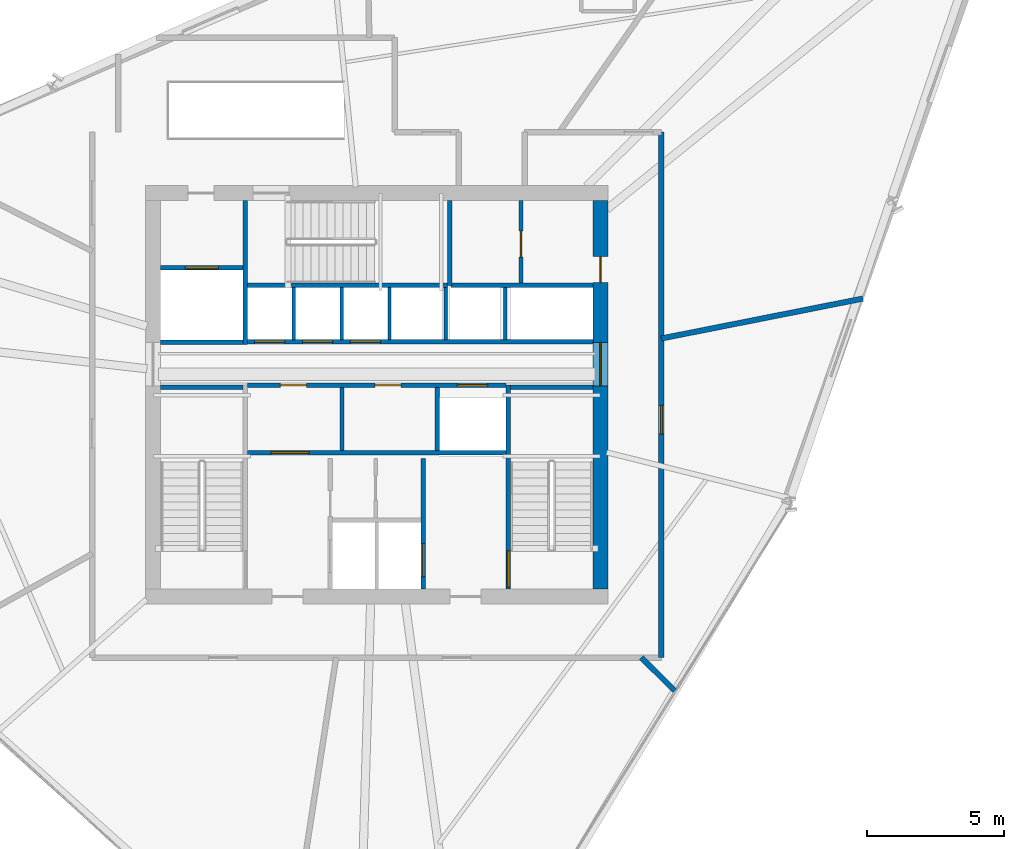
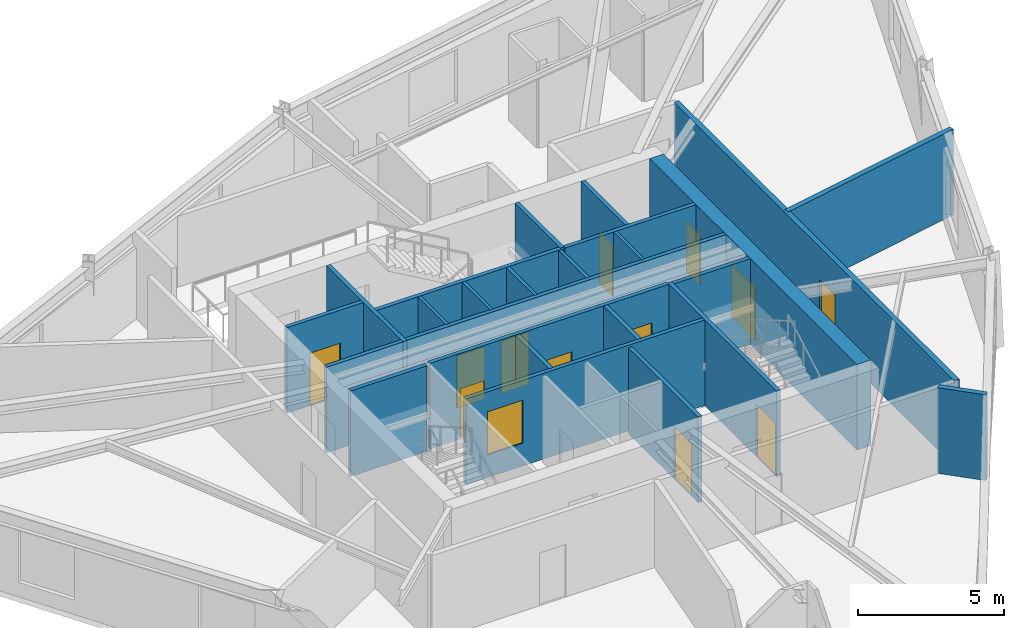
# One storey, part 10 of 13: 25 walls, 13 doors, 1 window, 14 openings.
"""IFC4 building model written with IfcOpenShell, lengths in metres."""

from ifc_helpers import new_model, si_unit, direction, frame, frame_2d, origin, place, context, subcontext, project, spatial, rectangle, extrude, source, transform, mapped, material, layer, layer_set, type_object, type_shapes, element, fill, save


model = new_model("IFC4")

# Units and contexts
model_context = context("Model", 3, precision=1e-05, world=origin(), true_north=direction((0.0, 1.0)))
body_context = subcontext(model_context, "Body", "Model", "MODEL_VIEW")
ifc_project = project(units=[si_unit("LENGTHUNIT", "METRE"), si_unit("AREAUNIT", "SQUARE_METRE"), si_unit("VOLUMEUNIT", "CUBIC_METRE"), si_unit("PLANEANGLEUNIT", "RADIAN"), si_unit("MASSUNIT", "GRAM", prefix="KILO")], contexts=[model_context])

# Site, building, storey
site_placement = place(None, origin())
site = spatial("IfcSite", under=ifc_project, at=site_placement, CompositionType="ELEMENT")
building_placement = place(site_placement, origin())
building = spatial("IfcBuilding", under=site, at=building_placement, Name="Olszyna Solenne Hotel", CompositionType="ELEMENT")
storey_placement = place(building_placement, frame((0.0, 0.0, 200.300048828125)))
storey = spatial("IfcBuildingStorey", under=building, at=storey_placement, Name="L53", CompositionType="ELEMENT", Elevation=200.300048828125)

# Wall, openings, doors
ifc_material_1 = material(Name="Concrete C50/60", Category="concrete")
ifc_layer_1 = layer(ifc_material_1, 0.550048828125, Name="Concrete C50/60")
ifc_layer_set_1 = layer_set([ifc_layer_1], Name="Concrete C50/60")
wall_type_1 = type_object("IfcWallType", Name="WL-CR550", PredefinedType="SHEAR", material=ifc_layer_set_1)
wall_1_placement = place(storey_placement, frame((46.175048828125, 33.699951171875, 0.0), z_axis=(0.0, 0.0, 1.0), x_axis=(0.0, -1.0, 0.0)))
wall_1 = element("IfcWall", 1, at=wall_1_placement, inside=storey, type_object=wall_type_1, Name="Core shear wall WL-CR550 CRW-L53-E", PredefinedType="SHEAR", context=body_context, shape_type="SweptSolid", body=[
    extrude(rectangle(XDim=14.199951171875, YDim=0.550048828125, at=frame_2d((7.10009765625, 0.0))), origin(), (0.0, 0.0, 1.0), 3.579833984375),
])
opening_1_placement = place(wall_1_placement, frame((5.179931640625, 0.0, 0.0)))
opening_1 = element("IfcOpeningElement", 2, at=opening_1_placement, cuts=wall_1, Name="Opening LHD-L53-E", PredefinedType="OPENING", context=body_context, shape_type="SweptSolid", body=[
    extrude(rectangle(XDim=1.60009765625, YDim=2.199951171875, at=frame_2d((0.800048828125, 1.10009765625))), frame((0.0, 0.28515625, 0.0), z_axis=(0.0, -1.0, 0.0), x_axis=(1.0, 0.0, 0.0)), (0.0, 0.0, 1.0), 0.570068359375),
])
opening_2_placement = place(wall_1_placement, frame((2.050048828125, 0.0, 0.0)))
opening_2 = element("IfcOpeningElement", 3, at=opening_2_placement, cuts=wall_1, Name="Opening SVD-L53-BE", PredefinedType="OPENING", context=body_context, shape_type="SweptSolid", body=[
    extrude(rectangle(XDim=0.949951171875, YDim=2.10009765625, at=frame_2d((0.47509765625, 1.050048828125))), frame((0.0, 0.28515625, 0.0), z_axis=(0.0, -1.0, 0.0), x_axis=(1.0, 0.0, 0.0)), (0.0, 0.0, 1.0), 0.570068359375),
])
ifc_material_2 = material(Name="Steel S355J2", Category="steel")
door_type_1 = type_object("IfcDoorType", Name="DR-SV1", OperationType="NOTDEFINED", PredefinedType="DOOR", material=ifc_material_2)
shared_shape_1 = source(origin(), body_context, "Body", "SweptSolid", [
    extrude(rectangle(XDim=0.949951171875, YDim=2.10009765625, at=frame_2d((0.47509765625, 1.050048828125))), frame((0.0, 0.02490234375, 0.0), z_axis=(0.0, -1.0, 0.0), x_axis=(1.0, 0.0, 0.0)), (0.0, 0.0, 1.0), 0.050048828125),
])
type_shapes(door_type_1, [shared_shape_1])
door_1_placement = place(opening_2_placement, origin())
door_1 = element("IfcDoor", 4, at=door_1_placement, inside=storey, type_object=door_type_1, Name="Housekeeping core fire door SVD-L53-BE", OperationType="SINGLE_SWING_RIGHT", OverallHeight=2.10009765625, OverallWidth=0.949951171875, PredefinedType="DOOR", context=body_context, shape_type="MappedRepresentation", body=[
    mapped(shared_shape_1, transform((0.0, 0.0, 0.0), x_axis=(1.0, 0.0, 0.0), y_axis=(0.0, 1.0, 0.0), z_axis=(0.0, 0.0, 1.0), scale=1.0)),
])
fill(opening_2, door_1)
ifc_material_3 = material(Name="Timber hardwood", Category="wood")
door_type_2 = type_object("IfcDoorType", Name="DR-CR1", OperationType="DOUBLE_DOOR_SINGLE_SWING", PredefinedType="DOOR", material=ifc_material_3)
shared_shape_2 = source(origin(), body_context, "Body", "SweptSolid", [
    extrude(rectangle(XDim=1.60009765625, YDim=2.199951171875, at=frame_2d((0.800048828125, 1.10009765625))), frame((0.0, 0.02490234375, 0.0), z_axis=(0.0, -1.0, 0.0), x_axis=(1.0, 0.0, 0.0)), (0.0, 0.0, 1.0), 0.050048828125),
])
type_shapes(door_type_2, [shared_shape_2])
door_2_placement = place(opening_1_placement, origin())
door_2 = element("IfcDoor", 5, at=door_2_placement, inside=storey, type_object=door_type_2, Name="Passenger lift lobby East fire door LHD-L53-E", OperationType="DOUBLE_DOOR_SINGLE_SWING", OverallHeight=2.199951171875, OverallWidth=1.60009765625, PredefinedType="DOOR", context=body_context, shape_type="MappedRepresentation", body=[
    mapped(shared_shape_2, transform((0.0, 0.0, 0.0), x_axis=(1.0, 0.0, 0.0), y_axis=(0.0, 1.0, 0.0), z_axis=(0.0, 0.0, 1.0), scale=1.0)),
])
fill(opening_1, door_2)

# Walls
ifc_material_4 = material(Name="Acoustic gypsum partition", Category="gypsum")
ifc_layer_2 = layer(ifc_material_4, 0.125, Name="Acoustic gypsum partition")
ifc_layer_set_2 = layer_set([ifc_layer_2], Name="Acoustic gypsum partition")
wall_type_2 = type_object("IfcWallType", Name="WL-PT125", PredefinedType="PARTITIONING", material=ifc_layer_set_2)
for number, where, z_axis, x_axis, name in (
    (6, (34.965087890625, 28.60009765625, 0.0), (0.0, 0.0, 1.0), (0.0, 1.0, 0.0), "Core shaft compartment wall CW-L53-DIVN349"),
    (7, (36.715087890625, 28.60009765625, 0.0), (0.0, 0.0, 1.0), (0.0, 1.0, 0.0), "Core shaft compartment wall CW-L53-DIVN367"),
    (8, (38.465087890625, 28.60009765625, 0.0), (0.0, 0.0, 1.0), (0.0, 1.0, 0.0), "Core shaft compartment wall CW-L53-DIVN384"),
    (9, (40.52490234375, 28.60009765625, 0.0), (0.0, 0.0, 1.0), (0.0, 1.0, 0.0), "Core shaft compartment wall CW-L53-DIVEX405"),
    (10, (42.699951171875, 28.60009765625, 0.0), (0.0, 0.0, 1.0), (0.0, 1.0, 0.0), "Core shaft compartment wall CW-L53-DIVEX427"),
):
    element("IfcWall", number, at=place(storey_placement, frame(where, z_axis=z_axis, x_axis=x_axis)), inside=storey, type_object=wall_type_2, Name=name, PredefinedType="PARTITIONING", context=body_context, shape_type="SweptSolid", body=[
        extrude(rectangle(XDim=1.919921875, YDim=0.125, at=frame_2d((0.9599609375, 0.0))), origin(), (0.0, 0.0, 1.0), 3.579833984375),
    ])
ifc_layer_3 = layer(ifc_material_4, 0.159912109375, Name="Acoustic gypsum partition")
ifc_layer_set_3 = layer_set([ifc_layer_3], Name="Acoustic gypsum partition")
wall_type_3 = type_object("IfcWallType", Name="WL-PT160", PredefinedType="PARTITIONING", material=ifc_layer_set_3)
wall_2_placement = place(storey_placement, frame((30.10009765625, 26.8798828125, 0.0), z_axis=(0.0, 0.0, 1.0), x_axis=(1.0, 0.0, 0.0)))
element("IfcWall", 11, at=wall_2_placement, inside=storey, type_object=wall_type_3, Name="Core shaft compartment wall CW-L53-ST1N", PredefinedType="PARTITIONING", context=body_context, shape_type="SweptSolid", body=[
    extrude(rectangle(XDim=3.02001953125, YDim=0.159912109375, at=frame_2d((1.510009765625, 0.0))), origin(), (0.0, 0.0, 1.0), 3.579833984375),
])

# Wall, opening, door
wall_3_placement = place(storey_placement, frame((42.800048828125, 26.9599609375, 0.0), z_axis=(0.0, 0.0, 1.0), x_axis=(0.0, -1.0, 0.0)))
wall_3 = element("IfcWall", 12, at=wall_3_placement, inside=storey, type_object=wall_type_3, Name="Core shaft compartment wall CW-L53-ST2W", PredefinedType="PARTITIONING", context=body_context, shape_type="SweptSolid", body=[
    extrude(rectangle(XDim=7.4599609375, YDim=0.159912109375, at=frame_2d((3.72998046875, 0.0))), origin(), (0.0, 0.0, 1.0), 3.579833984375),
])
opening_3_placement = place(wall_3_placement, frame((6.06005859375, 0.0, 0.0)))
opening_3 = element("IfcOpeningElement", 13, at=opening_3_placement, cuts=wall_3, Name="Opening STD-L53-02", PredefinedType="OPENING", context=body_context, shape_type="SweptSolid", body=[
    extrude(rectangle(XDim=1.320068359375, YDim=2.199951171875, at=frame_2d((0.66015625, 1.10009765625))), frame((0.0, 0.08984375, 0.0), z_axis=(0.0, -1.0, 0.0), x_axis=(1.0, 0.0, 0.0)), (0.0, 0.0, 1.0), 0.179931640625),
])
door_type_3 = type_object("IfcDoorType", Name="DR-ST1", OperationType="NOTDEFINED", PredefinedType="DOOR", material=ifc_material_2)
shared_shape_3 = source(origin(), body_context, "Body", "SweptSolid", [
    extrude(rectangle(XDim=1.320068359375, YDim=2.199951171875, at=frame_2d((0.66015625, 1.10009765625))), frame((0.0, 0.02490234375, 0.0), z_axis=(0.0, -1.0, 0.0), x_axis=(1.0, 0.0, 0.0)), (0.0, 0.0, 1.0), 0.050048828125),
])
type_shapes(door_type_3, [shared_shape_3])
door_3_placement = place(opening_3_placement, origin())
door_3 = element("IfcDoor", 14, at=door_3_placement, inside=storey, type_object=door_type_3, Name="Pressurised exit stair ST2 fire door STD-L53-02", OperationType="SINGLE_SWING_RIGHT", OverallHeight=2.199951171875, OverallWidth=1.320068359375, PredefinedType="DOOR", context=body_context, shape_type="MappedRepresentation", body=[
    mapped(shared_shape_3, transform((0.0, 0.0, 0.0), x_axis=(1.0, 0.0, 0.0), y_axis=(0.0, 1.0, 0.0), z_axis=(0.0, 0.0, 1.0), scale=1.0)),
])
fill(opening_3, door_3)

# Walls
wall_4_placement = place(storey_placement, frame((42.8798828125, 26.8798828125, 0.0), z_axis=(0.0, 0.0, 1.0), x_axis=(1.0, 0.0, 0.0)))
element("IfcWall", 15, at=wall_4_placement, inside=storey, type_object=wall_type_3, Name="Core shaft compartment wall CW-L53-ST2N", PredefinedType="PARTITIONING", context=body_context, shape_type="SweptSolid", body=[
    extrude(rectangle(XDim=3.02001953125, YDim=0.159912109375, at=frame_2d((1.510009765625, 0.0))), origin(), (0.0, 0.0, 1.0), 3.579833984375),
])
wall_5_placement = place(storey_placement, frame((33.280029296875, 30.60009765625, 0.0), z_axis=(0.0, 0.0, 1.0), x_axis=(1.0, 0.0, 0.0)))
element("IfcWall", 16, at=wall_5_placement, inside=storey, type_object=wall_type_3, Name="Core shaft compartment wall CW-L53-ST3S", PredefinedType="PARTITIONING", context=body_context, shape_type="SweptSolid", body=[
    extrude(rectangle(XDim=7.300048828125, YDim=0.159912109375, at=frame_2d((3.64990234375, 0.0))), origin(), (0.0, 0.0, 1.0), 3.579833984375),
])
wall_6_placement = place(storey_placement, frame((40.659912109375, 30.60009765625, 0.0), z_axis=(0.0, 0.0, 1.0), x_axis=(0.0, 1.0, 0.0)))
element("IfcWall", 17, at=wall_6_placement, inside=storey, type_object=wall_type_3, Name="Core shaft compartment wall CW-L53-ST3E", PredefinedType="PARTITIONING", context=body_context, shape_type="SweptSolid", body=[
    extrude(rectangle(XDim=3.099853515625, YDim=0.159912109375, at=frame_2d((1.5498046875, 0.0))), origin(), (0.0, 0.0, 1.0), 3.579833984375),
])

# Wall, opening, door
wall_7_placement = place(storey_placement, frame((39.699951171875, 24.280029296875, 0.0), z_axis=(0.0, 0.0, 1.0), x_axis=(0.0, -1.0, 0.0)))
wall_7 = element("IfcWall", 18, at=wall_7_placement, inside=storey, type_object=wall_type_3, Name="Core shaft compartment wall CW-L53-FF2E", PredefinedType="PARTITIONING", context=body_context, shape_type="SweptSolid", body=[
    extrude(rectangle(XDim=4.780029296875, YDim=0.159912109375, at=frame_2d((2.39013671875, 0.0))), origin(), (0.0, 0.0, 1.0), 3.579833984375),
])
opening_4_placement = place(wall_7_placement, frame((3.1201171875, 0.0, 0.0)))
opening_4 = element("IfcOpeningElement", 19, at=opening_4_placement, cuts=wall_7, Name="Opening LD-L53-FF2", PredefinedType="OPENING", context=body_context, shape_type="SweptSolid", body=[
    extrude(rectangle(XDim=1.199951171875, YDim=2.199951171875, at=frame_2d((0.60009765625, 1.10009765625))), frame((0.0, 0.08984375, 0.0), z_axis=(0.0, -1.0, 0.0), x_axis=(1.0, 0.0, 0.0)), (0.0, 0.0, 1.0), 0.179931640625),
])
door_type_4 = type_object("IfcDoorType", Name="LD-FF1", OperationType="DOUBLE_DOOR_SLIDING", PredefinedType="DOOR", material=ifc_material_2)
shared_shape_4 = source(origin(), body_context, "Body", "SweptSolid", [
    extrude(rectangle(XDim=1.199951171875, YDim=2.199951171875, at=frame_2d((0.60009765625, 1.10009765625))), frame((0.0, 0.02490234375, 0.0), z_axis=(0.0, -1.0, 0.0), x_axis=(1.0, 0.0, 0.0)), (0.0, 0.0, 1.0), 0.050048828125),
])
type_shapes(door_type_4, [shared_shape_4])
door_4_placement = place(opening_4_placement, origin())
door_4 = element("IfcDoor", 20, at=door_4_placement, inside=storey, type_object=door_type_4, Name="Firefighters lift FF2 sliding landing door LD-L53-FF2", OperationType="DOUBLE_DOOR_SLIDING", OverallHeight=2.199951171875, OverallWidth=1.199951171875, PredefinedType="DOOR", context=body_context, shape_type="MappedRepresentation", body=[
    mapped(shared_shape_4, transform((0.0, 0.0, 0.0), x_axis=(1.0, 0.0, 0.0), y_axis=(0.0, 1.0, 0.0), z_axis=(0.0, 0.0, 1.0), scale=1.0)),
])
fill(opening_4, door_4)

# Wall, opening, window
wall_8_placement = place(storey_placement, frame((33.280029296875, 24.489990234375, 0.0), z_axis=(0.0, 0.0, 1.0), x_axis=(1.0, 0.0, 0.0)))
wall_8 = element("IfcWall", 21, at=wall_8_placement, inside=storey, type_object=wall_type_3, Name="Core shaft compartment wall CW-L53-FFBN", PredefinedType="PARTITIONING", context=body_context, shape_type="SweptSolid", body=[
    extrude(rectangle(XDim=9.43994140625, YDim=0.159912109375, at=frame_2d((4.719970703125, 0.0))), origin(), (0.0, 0.0, 1.0), 3.579833984375),
])
opening_5_placement = place(wall_8_placement, frame((0.85009765625, 0.0, 0.949951171875)))
opening_5 = element("IfcOpeningElement", 22, at=opening_5_placement, cuts=wall_8, Name="Opening WNI-L53-01", PredefinedType="OPENING", context=body_context, shape_type="SweptSolid", body=[
    extrude(rectangle(XDim=1.39990234375, YDim=1.800048828125, at=frame_2d((0.699951171875, 0.89990234375))), frame((0.0, 0.08984375, 0.0), z_axis=(0.0, -1.0, 0.0), x_axis=(1.0, 0.0, 0.0)), (0.0, 0.0, 1.0), 0.179931640625),
])
ifc_material_5 = material(Name="Low-E triple glazing", Category="glass")
window_type = type_object("IfcWindowType", Name="WN-IN1", PartitioningType="SINGLE_PANEL", PredefinedType="WINDOW", material=ifc_material_5)
shared_shape_5 = source(origin(), body_context, "Body", "SweptSolid", [
    extrude(rectangle(XDim=1.39990234375, YDim=1.800048828125, at=frame_2d((0.699951171875, 0.89990234375))), frame((0.0, 0.030029296875, 0.0), z_axis=(0.0, -1.0, 0.0), x_axis=(1.0, 0.0, 0.0)), (0.0, 0.0, 1.0), 0.06005859375),
])
type_shapes(window_type, [shared_shape_5])
window_placement = place(opening_5_placement, origin())
window = element("IfcWindow", 23, at=window_placement, inside=storey, type_object=window_type, Name="Borrowed-light acoustic screen window WNI-L53-01", OverallHeight=1.800048828125, OverallWidth=1.39990234375, PartitioningType="SINGLE_PANEL", PredefinedType="WINDOW", context=body_context, shape_type="MappedRepresentation", body=[
    mapped(shared_shape_5, transform((0.0, 0.0, 0.0), x_axis=(1.0, 0.0, 0.0), y_axis=(0.0, 1.0, 0.0), z_axis=(0.0, 0.0, 1.0), scale=1.0)),
])
fill(opening_5, window)

# Walls
wall_9_placement = place(storey_placement, frame((30.10009765625, 28.52001953125, 0.0), z_axis=(0.0, 0.0, 1.0), x_axis=(1.0, 0.0, 0.0)))
element("IfcWall", 24, at=wall_9_placement, inside=storey, type_object=wall_type_3, Name="Core shaft compartment wall CW-L53-SV1S", PredefinedType="PARTITIONING", context=body_context, shape_type="SweptSolid", body=[
    extrude(rectangle(XDim=3.02001953125, YDim=0.159912109375, at=frame_2d((1.510009765625, 0.0))), origin(), (0.0, 0.0, 1.0), 3.579833984375),
])
wall_10_placement = place(storey_placement, frame((33.199951171875, 28.43994140625, 0.0), z_axis=(0.0, 0.0, 1.0), x_axis=(0.0, 1.0, 0.0)))
element("IfcWall", 25, at=wall_10_placement, inside=storey, type_object=wall_type_3, Name="Core shaft compartment wall CW-L53-SV1E", PredefinedType="PARTITIONING", context=body_context, shape_type="SweptSolid", body=[
    extrude(rectangle(XDim=5.260009765625, YDim=0.159912109375, at=frame_2d((2.6298828125, 0.0))), origin(), (0.0, 0.0, 1.0), 3.579833984375),
])

# Wall, opening, door
wall_11_placement = place(storey_placement, frame((30.10009765625, 31.239990234375, 0.0), z_axis=(0.0, 0.0, 1.0), x_axis=(1.0, 0.0, 0.0)))
wall_11 = element("IfcWall", 26, at=wall_11_placement, inside=storey, type_object=wall_type_3, Name="Core shaft compartment wall CW-L53-SV1N", PredefinedType="PARTITIONING", context=body_context, shape_type="SweptSolid", body=[
    extrude(rectangle(XDim=3.02001953125, YDim=0.159912109375, at=frame_2d((1.510009765625, 0.0))), origin(), (0.0, 0.0, 1.0), 3.579833984375),
])
opening_6_placement = place(wall_11_placement, frame((0.909912109375, 0.0, 0.0)))
opening_6 = element("IfcOpeningElement", 27, at=opening_6_placement, cuts=wall_11, Name="Opening LD-L53-SV1", PredefinedType="OPENING", context=body_context, shape_type="SweptSolid", body=[
    extrude(rectangle(XDim=1.199951171875, YDim=2.199951171875, at=frame_2d((0.60009765625, 1.10009765625))), frame((0.0, 0.08984375, 0.0), z_axis=(0.0, -1.0, 0.0), x_axis=(1.0, 0.0, 0.0)), (0.0, 0.0, 1.0), 0.179931640625),
])
door_5_placement = place(opening_6_placement, origin())
door_5 = element("IfcDoor", 28, at=door_5_placement, inside=storey, type_object=door_type_4, Name="Service lift SV1 sliding landing door LD-L53-SV1", OperationType="DOUBLE_DOOR_SLIDING", OverallHeight=2.199951171875, OverallWidth=1.199951171875, PredefinedType="DOOR", context=body_context, shape_type="MappedRepresentation", body=[
    mapped(shared_shape_4, transform((0.0, 0.0, 0.0), x_axis=(1.0, 0.0, 0.0), y_axis=(0.0, 1.0, 0.0), z_axis=(0.0, 0.0, 1.0), scale=1.0)),
])
fill(opening_6, door_5)

# Wall, openings, doors
wall_12_placement = place(storey_placement, frame((33.280029296875, 26.949951171875, 0.0), z_axis=(0.0, 0.0, 1.0), x_axis=(1.0, 0.0, 0.0)))
wall_12 = element("IfcWall", 29, at=wall_12_placement, inside=storey, type_object=wall_type_3, Name="Core shaft compartment wall CW-L53-LRS", PredefinedType="PARTITIONING", context=body_context, shape_type="SweptSolid", body=[
    extrude(rectangle(XDim=9.43994140625, YDim=0.159912109375, at=frame_2d((4.719970703125, 0.0))), origin(), (0.0, 0.0, 1.0), 3.579833984375),
])
opening_7_placement = place(wall_12_placement, frame((1.199951171875, 0.0, 0.0)))
opening_7 = element("IfcOpeningElement", 30, at=opening_7_placement, cuts=wall_12, Name="Opening SVD-L53-L71", PredefinedType="OPENING", context=body_context, shape_type="SweptSolid", body=[
    extrude(rectangle(XDim=0.949951171875, YDim=2.10009765625, at=frame_2d((0.47509765625, 1.050048828125))), frame((0.0, 0.08984375, 0.0), z_axis=(0.0, -1.0, 0.0), x_axis=(1.0, 0.0, 0.0)), (0.0, 0.0, 1.0), 0.179931640625),
])
opening_8_placement = place(wall_12_placement, frame((4.64990234375, 0.0, 0.0)))
opening_8 = element("IfcOpeningElement", 31, at=opening_8_placement, cuts=wall_12, Name="Opening SVD-L53-L72", PredefinedType="OPENING", context=body_context, shape_type="SweptSolid", body=[
    extrude(rectangle(XDim=0.949951171875, YDim=2.10009765625, at=frame_2d((0.47509765625, 1.050048828125))), frame((0.0, 0.08984375, 0.0), z_axis=(0.0, -1.0, 0.0), x_axis=(1.0, 0.0, 0.0)), (0.0, 0.0, 1.0), 0.179931640625),
])
opening_9_placement = place(wall_12_placement, frame((7.669921875, 0.0, 0.0)))
opening_9 = element("IfcOpeningElement", 32, at=opening_9_placement, cuts=wall_12, Name="Opening LD-L53-PL5", PredefinedType="OPENING", context=body_context, shape_type="SweptSolid", body=[
    extrude(rectangle(XDim=1.10009765625, YDim=2.199951171875, at=frame_2d((0.550048828125, 1.10009765625))), frame((0.0, 0.08984375, 0.0), z_axis=(0.0, -1.0, 0.0), x_axis=(1.0, 0.0, 0.0)), (0.0, 0.0, 1.0), 0.179931640625),
])
door_6_placement = place(opening_7_placement, origin())
door_6 = element("IfcDoor", 33, at=door_6_placement, inside=storey, type_object=door_type_1, Name="Recaptured core room fire door SVD-L53-L71", OperationType="SINGLE_SWING_LEFT", OverallHeight=2.10009765625, OverallWidth=0.949951171875, PredefinedType="DOOR", context=body_context, shape_type="MappedRepresentation", body=[
    mapped(shared_shape_1, transform((0.0, 0.0, 0.0), x_axis=(1.0, 0.0, 0.0), y_axis=(0.0, 1.0, 0.0), z_axis=(0.0, 0.0, 1.0), scale=1.0)),
])
fill(opening_7, door_6)
door_7_placement = place(opening_8_placement, origin())
door_7 = element("IfcDoor", 34, at=door_7_placement, inside=storey, type_object=door_type_1, Name="Recaptured core room fire door SVD-L53-L72", OperationType="SINGLE_SWING_RIGHT", OverallHeight=2.10009765625, OverallWidth=0.949951171875, PredefinedType="DOOR", context=body_context, shape_type="MappedRepresentation", body=[
    mapped(shared_shape_1, transform((0.0, 0.0, 0.0), x_axis=(1.0, 0.0, 0.0), y_axis=(0.0, 1.0, 0.0), z_axis=(0.0, 0.0, 1.0), scale=1.0)),
])
fill(opening_8, door_7)
door_type_5 = type_object("IfcDoorType", Name="LD-P1", OperationType="DOUBLE_DOOR_SLIDING", PredefinedType="DOOR", material=ifc_material_2)
shared_shape_6 = source(origin(), body_context, "Body", "SweptSolid", [
    extrude(rectangle(XDim=1.10009765625, YDim=2.199951171875, at=frame_2d((0.550048828125, 1.10009765625))), frame((0.0, 0.02490234375, 0.0), z_axis=(0.0, -1.0, 0.0), x_axis=(1.0, 0.0, 0.0)), (0.0, 0.0, 1.0), 0.050048828125),
])
type_shapes(door_type_5, [shared_shape_6])
door_8_placement = place(opening_9_placement, origin())
door_8 = element("IfcDoor", 35, at=door_8_placement, inside=storey, type_object=door_type_5, Name="Passenger lift PL5 sliding landing door LD-L53-PL5", OperationType="DOUBLE_DOOR_SLIDING", OverallHeight=2.199951171875, OverallWidth=1.10009765625, PredefinedType="DOOR", context=body_context, shape_type="MappedRepresentation", body=[
    mapped(shared_shape_6, transform((0.0, 0.0, 0.0), x_axis=(1.0, 0.0, 0.0), y_axis=(0.0, 1.0, 0.0), z_axis=(0.0, 0.0, 1.0), scale=1.0)),
])
fill(opening_9, door_8)

# Walls
for number, where, z_axis, x_axis, name in (
    (36, (36.72998046875, 24.56005859375, 0.0), (0.0, 0.0, 1.0), (0.0, 1.0, 0.0), "Core shaft compartment wall CW-L53-LV7DIV1"),
    (37, (40.215087890625, 24.56005859375, 0.0), (0.0, 0.0, 1.0), (0.0, 1.0, 0.0), "Core shaft compartment wall CW-L53-LV7DIV2"),
):
    element("IfcWall", number, at=place(storey_placement, frame(where, z_axis=z_axis, x_axis=x_axis)), inside=storey, type_object=wall_type_3, Name=name, PredefinedType="PARTITIONING", context=body_context, shape_type="SweptSolid", body=[
        extrude(rectangle(XDim=2.31005859375, YDim=0.159912109375, at=frame_2d((1.155029296875, 0.0))), origin(), (0.0, 0.0, 1.0), 3.579833984375),
    ])

# Wall, openings, doors
wall_13_placement = place(storey_placement, frame((33.280029296875, 28.5400390625, 0.0), z_axis=(0.0, 0.0, 1.0), x_axis=(1.0, 0.0, 0.0)))
wall_13 = element("IfcWall", 38, at=wall_13_placement, inside=storey, type_object=wall_type_3, Name="Core shaft compartment wall CW-L53-LRN", PredefinedType="PARTITIONING", context=body_context, shape_type="SweptSolid", body=[
    extrude(rectangle(XDim=12.619873046875, YDim=0.159912109375, at=frame_2d((6.31005859375, 0.0))), origin(), (0.0, 0.0, 1.0), 3.579833984375),
])
opening_10_placement = place(wall_13_placement, frame((0.260009765625, 0.0, 0.0)))
opening_10 = element("IfcOpeningElement", 39, at=opening_10_placement, cuts=wall_13, Name="Opening LD-L53-PL6", PredefinedType="OPENING", context=body_context, shape_type="SweptSolid", body=[
    extrude(rectangle(XDim=1.10009765625, YDim=2.199951171875, at=frame_2d((0.550048828125, 1.10009765625))), frame((0.0, 0.08984375, 0.0), z_axis=(0.0, -1.0, 0.0), x_axis=(1.0, 0.0, 0.0)), (0.0, 0.0, 1.0), 0.179931640625),
])
opening_11_placement = place(wall_13_placement, frame((2.010009765625, 0.0, 0.0)))
opening_11 = element("IfcOpeningElement", 40, at=opening_11_placement, cuts=wall_13, Name="Opening LD-L53-PL7", PredefinedType="OPENING", context=body_context, shape_type="SweptSolid", body=[
    extrude(rectangle(XDim=1.10009765625, YDim=2.199951171875, at=frame_2d((0.550048828125, 1.10009765625))), frame((0.0, 0.08984375, 0.0), z_axis=(0.0, -1.0, 0.0), x_axis=(1.0, 0.0, 0.0)), (0.0, 0.0, 1.0), 0.179931640625),
])
opening_12_placement = place(wall_13_placement, frame((3.760009765625, 0.0, 0.0)))
opening_12 = element("IfcOpeningElement", 41, at=opening_12_placement, cuts=wall_13, Name="Opening LD-L53-PL8", PredefinedType="OPENING", context=body_context, shape_type="SweptSolid", body=[
    extrude(rectangle(XDim=1.10009765625, YDim=2.199951171875, at=frame_2d((0.550048828125, 1.10009765625))), frame((0.0, 0.08984375, 0.0), z_axis=(0.0, -1.0, 0.0), x_axis=(1.0, 0.0, 0.0)), (0.0, 0.0, 1.0), 0.179931640625),
])
door_9_placement = place(opening_10_placement, origin())
door_9 = element("IfcDoor", 42, at=door_9_placement, inside=storey, type_object=door_type_5, Name="Passenger lift PL6 sliding landing door LD-L53-PL6", OperationType="DOUBLE_DOOR_SLIDING", OverallHeight=2.199951171875, OverallWidth=1.10009765625, PredefinedType="DOOR", context=body_context, shape_type="MappedRepresentation", body=[
    mapped(shared_shape_6, transform((0.0, 0.0, 0.0), x_axis=(1.0, 0.0, 0.0), y_axis=(0.0, 1.0, 0.0), z_axis=(0.0, 0.0, 1.0), scale=1.0)),
])
fill(opening_10, door_9)
door_10_placement = place(opening_11_placement, origin())
door_10 = element("IfcDoor", 43, at=door_10_placement, inside=storey, type_object=door_type_5, Name="Passenger lift PL7 sliding landing door LD-L53-PL7", OperationType="DOUBLE_DOOR_SLIDING", OverallHeight=2.199951171875, OverallWidth=1.10009765625, PredefinedType="DOOR", context=body_context, shape_type="MappedRepresentation", body=[
    mapped(shared_shape_6, transform((0.0, 0.0, 0.0), x_axis=(1.0, 0.0, 0.0), y_axis=(0.0, 1.0, 0.0), z_axis=(0.0, 0.0, 1.0), scale=1.0)),
])
fill(opening_11, door_10)
door_11_placement = place(opening_12_placement, origin())
door_11 = element("IfcDoor", 44, at=door_11_placement, inside=storey, type_object=door_type_5, Name="Passenger lift PL8 sliding landing door LD-L53-PL8", OperationType="DOUBLE_DOOR_SLIDING", OverallHeight=2.199951171875, OverallWidth=1.10009765625, PredefinedType="DOOR", context=body_context, shape_type="MappedRepresentation", body=[
    mapped(shared_shape_6, transform((0.0, 0.0, 0.0), x_axis=(1.0, 0.0, 0.0), y_axis=(0.0, 1.0, 0.0), z_axis=(0.0, 0.0, 1.0), scale=1.0)),
])
fill(opening_12, door_11)

# Wall
wall_14_placement = place(storey_placement, frame((40.719970703125, 30.60009765625, 0.0), z_axis=(0.0, 0.0, 1.0), x_axis=(1.0, 0.0, 0.0)))
element("IfcWall", 45, at=wall_14_placement, inside=storey, type_object=wall_type_3, Name="Core shaft compartment wall CW-L53-LRNTOP", PredefinedType="PARTITIONING", context=body_context, shape_type="SweptSolid", body=[
    extrude(rectangle(XDim=5.179931640625, YDim=0.159912109375, at=frame_2d((2.58984375, 0.0))), origin(), (0.0, 0.0, 1.0), 3.579833984375),
])

# Wall, opening, door
wall_15_placement = place(storey_placement, frame((43.27001953125, 30.679931640625, 0.0), z_axis=(0.0, 0.0, 1.0), x_axis=(0.0, 1.0, 0.0)))
wall_15 = element("IfcWall", 46, at=wall_15_placement, inside=storey, type_object=wall_type_3, Name="Core shaft compartment wall CW-L53-BOH1", PredefinedType="PARTITIONING", context=body_context, shape_type="SweptSolid", body=[
    extrude(rectangle(XDim=3.02001953125, YDim=0.159912109375, at=frame_2d((1.510009765625, 0.0))), origin(), (0.0, 0.0, 1.0), 3.579833984375),
])
opening_13_placement = place(wall_15_placement, frame((0.949951171875, 0.0, 0.0)))
opening_13 = element("IfcOpeningElement", 47, at=opening_13_placement, cuts=wall_15, Name="Opening SVD-L53-BI1", PredefinedType="OPENING", context=body_context, shape_type="SweptSolid", body=[
    extrude(rectangle(XDim=0.949951171875, YDim=2.10009765625, at=frame_2d((0.47509765625, 1.050048828125))), frame((0.0, 0.08984375, 0.0), z_axis=(0.0, -1.0, 0.0), x_axis=(1.0, 0.0, 0.0)), (0.0, 0.0, 1.0), 0.179931640625),
])
door_12_placement = place(opening_13_placement, origin())
door_12 = element("IfcDoor", 48, at=door_12_placement, inside=storey, type_object=door_type_1, Name="BOH inter-room fire door SVD-L53-BI1", OperationType="SINGLE_SWING_LEFT", OverallHeight=2.10009765625, OverallWidth=0.949951171875, PredefinedType="DOOR", context=body_context, shape_type="MappedRepresentation", body=[
    mapped(shared_shape_1, transform((0.0, 0.0, 0.0), x_axis=(1.0, 0.0, 0.0), y_axis=(0.0, 1.0, 0.0), z_axis=(0.0, 0.0, 1.0), scale=1.0)),
])
fill(opening_13, door_12)

# Walls
ifc_layer_4 = layer(ifc_material_4, 0.199951171875, Name="Acoustic gypsum partition")
ifc_layer_set_4 = layer_set([ifc_layer_4], Name="Acoustic gypsum partition")
wall_type_4 = type_object("IfcWallType", Name="WL-PT200", PredefinedType="PARTITIONING", material=ifc_layer_set_4)
wall_16_placement = place(storey_placement, frame((47.667236328125, 17.0, 0.0), z_axis=(0.0, 0.0, 1.0), x_axis=(0.709519367243, -0.704685935369, 0.0)))
element("IfcWall", 49, at=wall_16_placement, inside=storey, type_object=wall_type_4, Name="Interior acoustic partition WL-PT200 PW-L53-2983", PredefinedType="PARTITIONING", context=body_context, shape_type="SweptSolid", body=[
    extrude(rectangle(XDim=1.71728515625, YDim=0.199951171875, at=frame_2d((0.858642578125, 0.0))), origin(), (0.0, 0.0, 1.0), 3.579833984375),
])
wall_17_placement = place(storey_placement, frame((48.39990234375, 28.6591796875, 0.0), z_axis=(0.0, 0.0, 1.0), x_axis=(0.980954168832, 0.19423933343, 0.0)))
element("IfcWall", 50, at=wall_17_placement, inside=storey, type_object=wall_type_4, Name="Interior acoustic partition WL-PT200 PW-L53-2984", PredefinedType="PARTITIONING", context=body_context, shape_type="SweptSolid", body=[
    extrude(rectangle(XDim=7.50634765625, YDim=0.199951171875, at=frame_2d((3.753173828125, 0.0))), origin(), (0.0, 0.0, 1.0), 3.579833984375),
])

# Wall, opening, door
wall_18_placement = place(storey_placement, frame((48.39990234375, 17.0, 0.0), z_axis=(0.0, 0.0, 1.0), x_axis=(0.0, 1.0, 0.0)))
wall_18 = element("IfcWall", 51, at=wall_18_placement, inside=storey, type_object=wall_type_4, Name="Interior acoustic partition WL-PT200 PW-L53-3004", PredefinedType="PARTITIONING", context=body_context, shape_type="SweptSolid", body=[
    extrude(rectangle(XDim=19.199951171875, YDim=0.199951171875, at=frame_2d((9.60009765625, 0.0))), origin(), (0.0, 0.0, 1.0), 3.579833984375),
])
opening_14_placement = place(wall_18_placement, frame((8.1650390625, 0.0, 0.0)))
opening_14 = element("IfcOpeningElement", 52, at=opening_14_placement, cuts=wall_18, Name="Opening DR-L53-0733", PredefinedType="OPENING", context=body_context, shape_type="SweptSolid", body=[
    extrude(rectangle(XDim=1.050048828125, YDim=2.199951171875, at=frame_2d((0.52490234375, 1.10009765625))), frame((0.0, 0.10986328125, 0.0), z_axis=(0.0, -1.0, 0.0), x_axis=(1.0, 0.0, 0.0)), (0.0, 0.0, 1.0), 0.219970703125),
])
door_type_6 = type_object("IfcDoorType", Name="DR-RM2", OperationType="NOTDEFINED", PredefinedType="DOOR", material=ifc_material_3)
shared_shape_7 = source(origin(), body_context, "Body", "SweptSolid", [
    extrude(rectangle(XDim=1.050048828125, YDim=2.199951171875, at=frame_2d((0.52490234375, 1.10009765625))), frame((0.0, 0.02490234375, 0.0), z_axis=(0.0, -1.0, 0.0), x_axis=(1.0, 0.0, 0.0)), (0.0, 0.0, 1.0), 0.050048828125),
])
type_shapes(door_type_6, [shared_shape_7])
door_13_placement = place(opening_14_placement, origin())
door_13 = element("IfcDoor", 53, at=door_13_placement, inside=storey, type_object=door_type_6, Name="Executive Meeting Salon Entrance Door DR-L53-0733", OperationType="SINGLE_SWING_RIGHT", OverallHeight=2.199951171875, OverallWidth=1.050048828125, PredefinedType="DOOR", context=body_context, shape_type="MappedRepresentation", body=[
    mapped(shared_shape_7, transform((0.0, 0.0, 0.0), x_axis=(1.0, 0.0, 0.0), y_axis=(0.0, 1.0, 0.0), z_axis=(0.0, 0.0, 1.0), scale=1.0)),
])
fill(opening_14, door_13)

save(model, "model.ifc")
